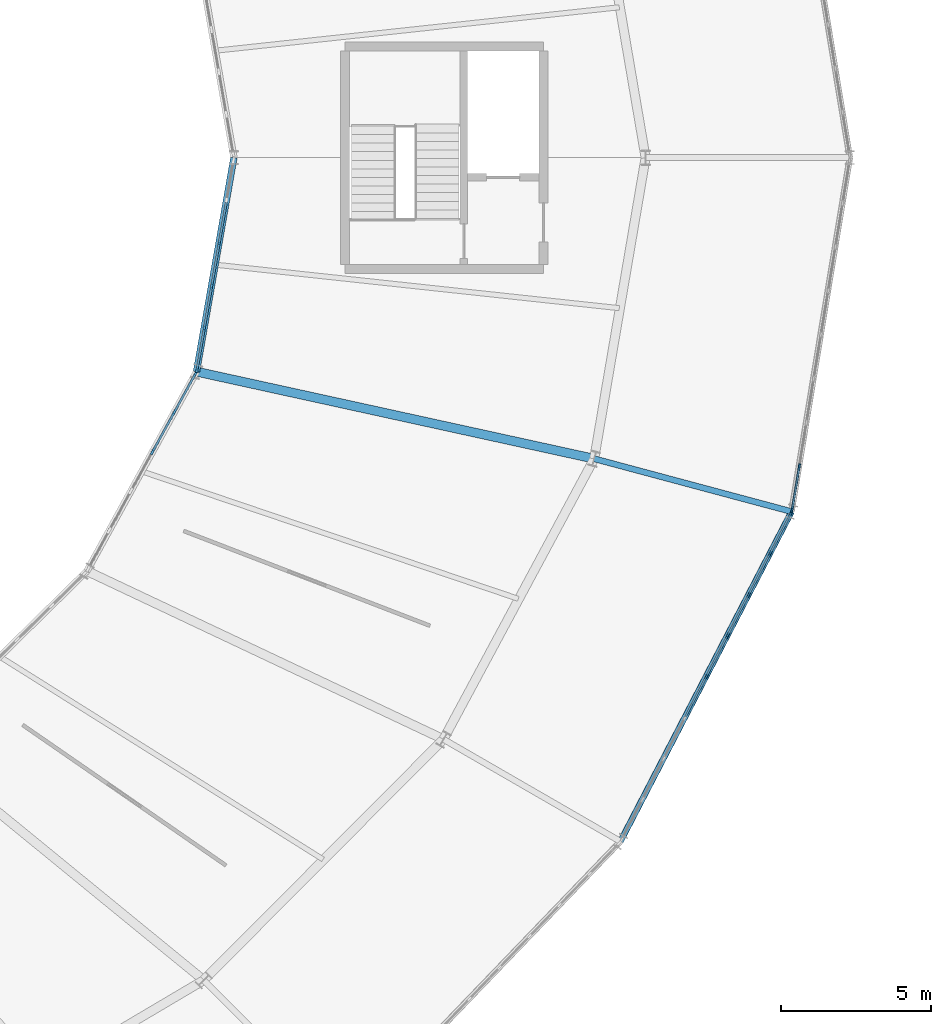
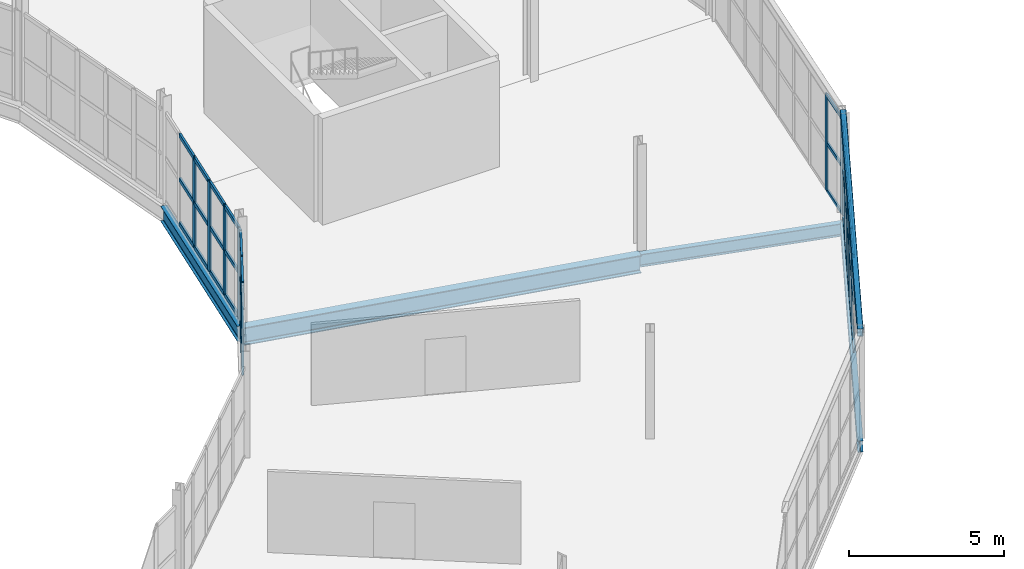
# One storey, part 79 of 161: 50 members, 5 beams, 4 elements without a shape of their own.
"""IFC4 building model written with IfcOpenShell, lengths in metres."""

from ifc_helpers import new_model, si_unit, direction, frame, origin, origin_2d, place, context, subcontext, project, spatial, rectangle, hollow_rectangle, i_section, extrude, material, material_profile, profile_set, type_object, element, aggregate, save


model = new_model("IFC4")

# Units and contexts
model_context = context("Model", 3, precision=1e-05, world=origin(), true_north=direction((0.0, 1.0)))
body_context = subcontext(model_context, "Body", "Model", "MODEL_VIEW")
ifc_project = project(units=[si_unit("LENGTHUNIT", "METRE"), si_unit("AREAUNIT", "SQUARE_METRE"), si_unit("VOLUMEUNIT", "CUBIC_METRE"), si_unit("PLANEANGLEUNIT", "RADIAN"), si_unit("MASSUNIT", "GRAM", prefix="KILO")], contexts=[model_context])

# Site, building, storey
site_placement = place(None, origin())
site = spatial("IfcSite", under=ifc_project, at=site_placement, CompositionType="ELEMENT")
building_placement = place(site_placement, origin())
building = spatial("IfcBuilding", under=site, at=building_placement, Name="Kildeholm Park Wholesale Market", CompositionType="ELEMENT")
storey_placement = place(building_placement, frame((0.0, 0.0, 5.39990234375)))
storey = spatial("IfcBuildingStorey", under=building, at=storey_placement, Name="L01", CompositionType="ELEMENT", Elevation=5.39990234375)

# Beams
ifc_material_1 = material(Name="Steel S355", Category="steel")
ifc_material_profile_1 = material_profile(ifc_material_1, i_section(OverallWidth=0.300048828125, OverallDepth=0.699951171875, WebThickness=0.01708984375, FlangeThickness=0.031982421875, FilletRadius=0.027099609375, at=origin_2d()), Name="HEB 700")
ifc_profile_set_1 = profile_set([ifc_material_profile_1], Name="Steel S355")
beam_type_1 = type_object("IfcBeamType", Name="Beam B-G01 HEB 700", PredefinedType="BEAM", material=ifc_profile_set_1)
beam_1_placement = place(storey_placement, frame((134.256103515625, 82.382080078125, -0.599853515625), z_axis=(0.976846137752, -0.213943037181, 0.0), x_axis=(0.213943037181, 0.976846137752, 0.0)))
element("IfcBeam", 1, at=beam_1_placement, inside=storey, type_object=beam_type_1, Name="Beam BM-V1-L01-R1-23 BM-0210", PredefinedType="BEAM", context=body_context, shape_type="SweptSolid", body=[
    extrude(i_section(OverallWidth=0.300048828125, OverallDepth=0.699951171875, WebThickness=0.01708984375, FlangeThickness=0.031982421875, FilletRadius=0.027099609375, at=origin_2d()), origin(), (0.0, 0.0, 1.0), 13.546630859375),
])
ifc_material_profile_2 = material_profile(ifc_material_1, i_section(OverallWidth=0.18994140625, OverallDepth=0.449951171875, WebThickness=0.009521484375, FlangeThickness=0.0146484375, FilletRadius=0.02099609375, at=origin_2d()), Name="IPE 450")
ifc_profile_set_2 = profile_set([ifc_material_profile_2], Name="Steel S355")
beam_type_2 = type_object("IfcBeamType", Name="Beam B-P02 IPE 450", PredefinedType="BEAM", material=ifc_profile_set_2)
beam_2_placement = place(storey_placement, frame((148.363037109375, 66.75, -0.474853515625), z_axis=(0.460622041592, 0.887596380569, 0.0), x_axis=(-0.887596380569, 0.460622041592, 0.0)))
element("IfcBeam", 2, at=beam_2_placement, inside=storey, type_object=beam_type_2, Name="Beam BM-V1-L01-CO-22 BM-0205", PredefinedType="BEAM", context=body_context, shape_type="SweptSolid", body=[
    extrude(i_section(OverallWidth=0.18994140625, OverallDepth=0.449951171875, WebThickness=0.009521484375, FlangeThickness=0.0146484375, FilletRadius=0.02099609375, at=origin_2d()), origin(), (0.0, 0.0, 1.0), 12.36376953125),
])
ifc_material_profile_3 = material_profile(ifc_material_1, i_section(OverallWidth=0.199951171875, OverallDepth=0.5, WebThickness=0.01025390625, FlangeThickness=0.01611328125, FilletRadius=0.02099609375, at=origin_2d()), Name="IPE 500")
ifc_profile_set_3 = profile_set([ifc_material_profile_3], Name="Steel S355")
beam_type_3 = type_object("IfcBeamType", Name="Beam B-P03 IPE 500", PredefinedType="BEAM", material=ifc_profile_set_3)
beam_3_placement = place(storey_placement, frame((147.489013671875, 79.48388671875, -0.5), z_axis=(0.965941161837, -0.258761805275, 0.0), x_axis=(0.258761805275, 0.965941161837, 0.0)))
element("IfcBeam", 3, at=beam_3_placement, inside=storey, type_object=beam_type_3, Name="Beam BM-V1-L01-R2-23 BM-0212", PredefinedType="BEAM", context=body_context, shape_type="SweptSolid", body=[
    extrude(i_section(OverallWidth=0.199951171875, OverallDepth=0.5, WebThickness=0.01025390625, FlangeThickness=0.01611328125, FilletRadius=0.02099609375, at=origin_2d()), origin(), (0.0, 0.0, 1.0), 6.80078125),
])
ifc_material_profile_4 = material_profile(ifc_material_1, i_section(OverallWidth=0.219970703125, OverallDepth=0.60009765625, WebThickness=0.011962890625, FlangeThickness=0.01904296875, FilletRadius=0.02392578125, at=origin_2d()), Name="IPE 600")
ifc_profile_set_4 = profile_set([ifc_material_profile_4], Name="Steel S355")
beam_type_4 = type_object("IfcBeamType", Name="Beam B-P04 IPE 600", PredefinedType="BEAM", material=ifc_profile_set_4)
beam_4_placement = place(storey_placement, frame((134.256103515625, 82.382080078125, -0.5498046875), z_axis=(0.172146745201, 0.985071316259, 0.0), x_axis=(-0.985071316259, 0.172146745201, 0.0)))
element("IfcBeam", 4, at=beam_4_placement, inside=storey, type_object=beam_type_4, Name="Beam BM-V1-L01-CI-23 BM-0213", PredefinedType="BEAM", context=body_context, shape_type="SweptSolid", body=[
    extrude(i_section(OverallWidth=0.219970703125, OverallDepth=0.60009765625, WebThickness=0.011962890625, FlangeThickness=0.01904296875, FilletRadius=0.02392578125, at=origin_2d()), origin(), (0.0, 0.0, 1.0), 7.225830078125),
])
ifc_material_profile_5 = material_profile(ifc_material_1, hollow_rectangle(XDim=0.199951171875, YDim=0.300048828125, WallThickness=0.012451171875, InnerFilletRadius=0.012451171875, OuterFilletRadius=0.02490234375, at=origin_2d()), Name="RHS 300x200x12.5")
ifc_profile_set_5 = profile_set([ifc_material_profile_5], Name="Steel S355")
beam_type_5 = type_object("IfcBeamType", Name="Beam SP-01 RHS 300x200x12.5", PredefinedType="SPANDREL", material=ifc_profile_set_5)
beam_5_placement = place(storey_placement, frame((148.363037109375, 66.75, 4.022705078125), z_axis=(0.460622041592, 0.887596380569, 0.0), x_axis=(-0.887596380569, 0.460622041592, 0.0)))
element("IfcBeam", 5, at=beam_5_placement, inside=storey, type_object=beam_type_5, Name="Beam SP-V1-EAV-22 BM-0352", PredefinedType="SPANDREL", context=body_context, shape_type="SweptSolid", body=[
    extrude(hollow_rectangle(XDim=0.199951171875, YDim=0.300048828125, WallThickness=0.012451171875, InnerFilletRadius=0.012451171875, OuterFilletRadius=0.02490234375, at=origin_2d()), origin(), (0.0, 0.0, 1.0), 12.36376953125),
])

# Curtain wall, members
ifc_material_2 = material(Name="Anodised aluminium and low-E double-glazed glass", Category="aluminium")
curtain_wall_type = type_object("IfcCurtainWallType", Name="Market hall glazed arcade stick curtain wall CW-01", PredefinedType="NOTDEFINED", material=ifc_material_2)
curtain_wall_1_placement = place(storey_placement, origin())
curtain_wall_1 = element("IfcCurtainWall", 6, at=curtain_wall_1_placement, inside=storey, type_object=curtain_wall_type, Name="Curtain wall CW-V1-OT-22-1 CW-0109", PredefinedType="NOTDEFINED")
ifc_material_3 = material(Name="Anodised aluminium", Category="aluminium")
ifc_material_profile_6 = material_profile(ifc_material_3, rectangle(XDim=0.06494140625, YDim=0.179931640625, at=origin_2d()), Name="CWM 65x180")
ifc_profile_set_6 = profile_set([ifc_material_profile_6], Name="Anodised aluminium")
member_type_1 = type_object("IfcMemberType", Name="Curtain-wall mullion CWM-1 CWM 65x180", PredefinedType="MULLION", material=ifc_profile_set_6)
member_1_placement = place(storey_placement, frame((151.216552734375, 72.235107421875, 0.0), z_axis=(0.0, 0.0, 1.0), x_axis=(-0.88765224586, 0.460514375909, 0.0)))
member_1 = element("IfcMember", 7, at=member_1_placement, type_object=member_type_1, Name="CW-01 mullion 5 MEM-3402", PredefinedType="MULLION", context=body_context, shape_type="SweptSolid", body=[
    extrude(rectangle(XDim=0.06494140625, YDim=0.179931640625, at=origin_2d()), origin(), (0.0, 0.0, 1.0), 3.800048828125),
])
member_2_placement = place(storey_placement, frame((151.923583984375, 73.597900390625, 0.0), z_axis=(0.0, 0.0, 1.0), x_axis=(-0.88765224586, 0.460514375909, 0.0)))
member_2 = element("IfcMember", 8, at=member_2_placement, type_object=member_type_1, Name="CW-01 mullion 6 MEM-3403", PredefinedType="MULLION", context=body_context, shape_type="SweptSolid", body=[
    extrude(rectangle(XDim=0.06494140625, YDim=0.179931640625, at=origin_2d()), origin(), (0.0, 0.0, 1.0), 3.800048828125),
])
member_3_placement = place(storey_placement, frame((152.630859375, 74.9609375, 0.0), z_axis=(0.0, 0.0, 1.0), x_axis=(-0.88765224586, 0.460514375909, 0.0)))
member_3 = element("IfcMember", 9, at=member_3_placement, type_object=member_type_1, Name="CW-01 mullion 7 MEM-3404", PredefinedType="MULLION", context=body_context, shape_type="SweptSolid", body=[
    extrude(rectangle(XDim=0.06494140625, YDim=0.179931640625, at=origin_2d()), origin(), (0.0, 0.0, 1.0), 3.800048828125),
])
member_4_placement = place(storey_placement, frame((153.337890625, 76.323974609375, 0.0), z_axis=(0.0, 0.0, 1.0), x_axis=(-0.88765224586, 0.460514375909, 0.0)))
member_4 = element("IfcMember", 10, at=member_4_placement, type_object=member_type_1, Name="CW-01 mullion 8 MEM-3405", PredefinedType="MULLION", context=body_context, shape_type="SweptSolid", body=[
    extrude(rectangle(XDim=0.06494140625, YDim=0.179931640625, at=origin_2d()), origin(), (0.0, 0.0, 1.0), 3.800048828125),
])
member_5_placement = place(storey_placement, frame((154.030029296875, 77.658203125, 0.0), z_axis=(0.0, 0.0, 1.0), x_axis=(-0.88765224586, 0.460514375909, 0.0)))
member_5 = element("IfcMember", 11, at=member_5_placement, type_object=member_type_1, Name="CW-01 mullion 9 MEM-3406", PredefinedType="MULLION", context=body_context, shape_type="SweptSolid", body=[
    extrude(rectangle(XDim=0.06494140625, YDim=0.179931640625, at=origin_2d()), origin(), (0.0, 0.0, 1.0), 3.800048828125),
])

curtain_wall_2_placement = place(storey_placement, origin())
curtain_wall_2 = element("IfcCurtainWall", 12, at=curtain_wall_2_placement, inside=storey, type_object=curtain_wall_type, Name="Curtain wall CW-V1-OT-23-1 CW-0114", PredefinedType="NOTDEFINED")
member_6_placement = place(storey_placement, frame((154.076171875, 77.7939453125, 0.0), z_axis=(0.0, 0.0, 1.0), x_axis=(-0.98667513756, 0.162702713317, 0.0)))
member_6 = element("IfcMember", 13, at=member_6_placement, type_object=member_type_1, Name="CW-01 mullion 1 MEM-3523", PredefinedType="MULLION", context=body_context, shape_type="SweptSolid", body=[
    extrude(rectangle(XDim=0.06494140625, YDim=0.179931640625, at=origin_2d()), origin(), (0.0, 0.0, 1.0), 3.800048828125),
])
member_7_placement = place(storey_placement, frame((154.31201171875, 79.224365234375, 0.0), z_axis=(0.0, 0.0, 1.0), x_axis=(-0.98667513756, 0.162702713317, 0.0)))
member_7 = element("IfcMember", 14, at=member_7_placement, type_object=member_type_1, Name="CW-01 mullion 2 MEM-3524", PredefinedType="MULLION", context=body_context, shape_type="SweptSolid", body=[
    extrude(rectangle(XDim=0.06494140625, YDim=0.179931640625, at=origin_2d()), origin(), (0.0, 0.0, 1.0), 3.800048828125),
])

curtain_wall_3_placement = place(storey_placement, origin())
curtain_wall_3 = element("IfcCurtainWall", 15, at=curtain_wall_3_placement, inside=storey, type_object=curtain_wall_type, Name="Curtain wall CW-V1-IN1-22 CW-0112", PredefinedType="NOTDEFINED")
ifc_material_profile_7 = material_profile(ifc_material_3, rectangle(XDim=0.074951171875, YDim=0.219970703125, at=origin_2d()), Name="CWM 75x220")
ifc_profile_set_7 = profile_set([ifc_material_profile_7], Name="Anodised aluminium")
member_type_2 = type_object("IfcMemberType", Name="Curtain-wall mullion CWM-2 CWM 75x220", PredefinedType="MULLION", material=ifc_profile_set_7)
member_8_placement = place(storey_placement, frame((132.7998046875, 79.720703125, 0.0), z_axis=(0.0, 0.0, 1.0), x_axis=(-0.876308922506, 0.481749595055, 0.0)))
member_8 = element("IfcMember", 16, at=member_8_placement, type_object=member_type_2, Name="CW-01 mullion 4 MEM-3484", PredefinedType="MULLION", context=body_context, shape_type="SweptSolid", body=[
    extrude(rectangle(XDim=0.074951171875, YDim=0.219970703125, at=origin_2d()), origin(), (0.0, 0.0, 1.0), 3.550048828125),
])
member_9_placement = place(storey_placement, frame((133.521484375, 81.033447265625, 0.0), z_axis=(0.0, 0.0, 1.0), x_axis=(-0.876308922506, 0.481749595055, 0.0)))
member_9 = element("IfcMember", 17, at=member_9_placement, type_object=member_type_2, Name="CW-01 mullion 5 MEM-3485", PredefinedType="MULLION", context=body_context, shape_type="SweptSolid", body=[
    extrude(rectangle(XDim=0.074951171875, YDim=0.219970703125, at=origin_2d()), origin(), (0.0, 0.0, 1.0), 3.550048828125),
])
member_10_placement = place(storey_placement, frame((134.224853515625, 82.313232421875, 0.0), z_axis=(0.0, 0.0, 1.0), x_axis=(-0.876308922506, 0.481749595055, 0.0)))
member_10 = element("IfcMember", 18, at=member_10_placement, type_object=member_type_2, Name="CW-01 mullion 6 MEM-3486", PredefinedType="MULLION", context=body_context, shape_type="SweptSolid", body=[
    extrude(rectangle(XDim=0.074951171875, YDim=0.219970703125, at=origin_2d()), origin(), (0.0, 0.0, 1.0), 3.550048828125),
])

curtain_wall_4_placement = place(storey_placement, origin())
curtain_wall_4 = element("IfcCurtainWall", 19, at=curtain_wall_4_placement, inside=storey, type_object=curtain_wall_type, Name="Curtain wall CW-V1-IN1-23 CW-0117", PredefinedType="NOTDEFINED")
member_11_placement = place(storey_placement, frame((134.2763671875, 82.4580078125, 0.0), z_axis=(0.0, 0.0, 1.0), x_axis=(-0.985073802851, 0.172132515628, 0.0)))
member_11 = element("IfcMember", 20, at=member_11_placement, type_object=member_type_2, Name="CW-01 mullion 1 MEM-3606", PredefinedType="MULLION", context=body_context, shape_type="SweptSolid", body=[
    extrude(rectangle(XDim=0.074951171875, YDim=0.219970703125, at=origin_2d()), origin(), (0.0, 0.0, 1.0), 3.550048828125),
])
member_12_placement = place(storey_placement, frame((134.51611328125, 83.828857421875, 0.0), z_axis=(0.0, 0.0, 1.0), x_axis=(-0.985073802851, 0.172132515628, 0.0)))
member_12 = element("IfcMember", 21, at=member_12_placement, type_object=member_type_2, Name="CW-01 mullion 2 MEM-3607", PredefinedType="MULLION", context=body_context, shape_type="SweptSolid", body=[
    extrude(rectangle(XDim=0.074951171875, YDim=0.219970703125, at=origin_2d()), origin(), (0.0, 0.0, 1.0), 3.550048828125),
])
member_13_placement = place(storey_placement, frame((134.761962890625, 85.236572265625, 0.0), z_axis=(0.0, 0.0, 1.0), x_axis=(-0.985073802851, 0.172132515628, 0.0)))
member_13 = element("IfcMember", 22, at=member_13_placement, type_object=member_type_2, Name="CW-01 mullion 3 MEM-3608", PredefinedType="MULLION", context=body_context, shape_type="SweptSolid", body=[
    extrude(rectangle(XDim=0.074951171875, YDim=0.219970703125, at=origin_2d()), origin(), (0.0, 0.0, 1.0), 3.550048828125),
])
member_14_placement = place(storey_placement, frame((135.008056640625, 86.644287109375, 0.0), z_axis=(0.0, 0.0, 1.0), x_axis=(-0.985073802851, 0.172132515628, 0.0)))
member_14 = element("IfcMember", 23, at=member_14_placement, type_object=member_type_2, Name="CW-01 mullion 4 MEM-3609", PredefinedType="MULLION", context=body_context, shape_type="SweptSolid", body=[
    extrude(rectangle(XDim=0.074951171875, YDim=0.219970703125, at=origin_2d()), origin(), (0.0, 0.0, 1.0), 3.550048828125),
])

# Member
ifc_material_profile_8 = material_profile(ifc_material_3, rectangle(XDim=0.06494140625, YDim=0.139892578125, at=origin_2d()), Name="CWT 65x140")
ifc_profile_set_8 = profile_set([ifc_material_profile_8], Name="Anodised aluminium")
member_type_3 = type_object("IfcMemberType", Name="Curtain-wall transom CWT-1 CWT 65x140", PredefinedType="USERDEFINED", material=ifc_profile_set_8)
member_15_placement = place(storey_placement, frame((150.5244140625, 70.90087890625, 0.03271484375), z_axis=(0.460448022353, 0.887686666967, 0.0), x_axis=(-0.887686666967, 0.460448022353, 0.0)))
member_15 = element("IfcMember", 24, at=member_15_placement, type_object=member_type_3, Name="CW-01 transom 4.1 MEM-3416", ObjectType="TRANSOM", PredefinedType="USERDEFINED", context=body_context, shape_type="SweptSolid", body=[
    extrude(rectangle(XDim=0.06494140625, YDim=0.139892578125, at=origin_2d()), origin(), (0.0, 0.0, 1.0), 1.47021484375),
])

member_16_placement = place(storey_placement, frame((150.5244140625, 70.90087890625, 1.900146484375), z_axis=(0.460448022353, 0.887686666967, 0.0), x_axis=(-0.887686666967, 0.460448022353, 0.0)))
member_16 = element("IfcMember", 25, at=member_16_placement, type_object=member_type_3, Name="CW-01 transom 4.2 MEM-3417", ObjectType="TRANSOM", PredefinedType="USERDEFINED", context=body_context, shape_type="SweptSolid", body=[
    extrude(rectangle(XDim=0.06494140625, YDim=0.139892578125, at=origin_2d()), origin(), (0.0, 0.0, 1.0), 1.47021484375),
])

member_17_placement = place(storey_placement, frame((150.5244140625, 70.90087890625, 3.767578125), z_axis=(0.460448022353, 0.887686666967, 0.0), x_axis=(-0.887686666967, 0.460448022353, 0.0)))
member_17 = element("IfcMember", 26, at=member_17_placement, type_object=member_type_3, Name="CW-01 transom 4.3 MEM-3418", ObjectType="TRANSOM", PredefinedType="USERDEFINED", context=body_context, shape_type="SweptSolid", body=[
    extrude(rectangle(XDim=0.06494140625, YDim=0.139892578125, at=origin_2d()), origin(), (0.0, 0.0, 1.0), 1.47021484375),
])

member_18_placement = place(storey_placement, frame((151.2314453125, 72.263916015625, 0.03271484375), z_axis=(0.46057885024, 0.887618793577, 0.0), x_axis=(-0.887618793577, 0.46057885024, 0.0)))
member_18 = element("IfcMember", 27, at=member_18_placement, type_object=member_type_3, Name="CW-01 transom 5.1 MEM-3419", ObjectType="TRANSOM", PredefinedType="USERDEFINED", context=body_context, shape_type="SweptSolid", body=[
    extrude(rectangle(XDim=0.06494140625, YDim=0.139892578125, at=origin_2d()), origin(), (0.0, 0.0, 1.0), 1.470458984375),
])

member_19_placement = place(storey_placement, frame((151.2314453125, 72.263916015625, 1.900146484375), z_axis=(0.46057885024, 0.887618793577, 0.0), x_axis=(-0.887618793577, 0.46057885024, 0.0)))
member_19 = element("IfcMember", 28, at=member_19_placement, type_object=member_type_3, Name="CW-01 transom 5.2 MEM-3420", ObjectType="TRANSOM", PredefinedType="USERDEFINED", context=body_context, shape_type="SweptSolid", body=[
    extrude(rectangle(XDim=0.06494140625, YDim=0.139892578125, at=origin_2d()), origin(), (0.0, 0.0, 1.0), 1.470458984375),
])

member_20_placement = place(storey_placement, frame((151.2314453125, 72.263916015625, 3.767578125), z_axis=(0.46057885024, 0.887618793577, 0.0), x_axis=(-0.887618793577, 0.46057885024, 0.0)))
member_20 = element("IfcMember", 29, at=member_20_placement, type_object=member_type_3, Name="CW-01 transom 5.3 MEM-3421", ObjectType="TRANSOM", PredefinedType="USERDEFINED", context=body_context, shape_type="SweptSolid", body=[
    extrude(rectangle(XDim=0.06494140625, YDim=0.139892578125, at=origin_2d()), origin(), (0.0, 0.0, 1.0), 1.470458984375),
])

member_21_placement = place(storey_placement, frame((151.9384765625, 73.626953125, 0.03271484375), z_axis=(0.46057885024, 0.887618793577, 0.0), x_axis=(-0.887618793577, 0.46057885024, 0.0)))
member_21 = element("IfcMember", 30, at=member_21_placement, type_object=member_type_3, Name="CW-01 transom 6.1 MEM-3422", ObjectType="TRANSOM", PredefinedType="USERDEFINED", context=body_context, shape_type="SweptSolid", body=[
    extrude(rectangle(XDim=0.06494140625, YDim=0.139892578125, at=origin_2d()), origin(), (0.0, 0.0, 1.0), 1.470458984375),
])

member_22_placement = place(storey_placement, frame((151.9384765625, 73.626953125, 1.900146484375), z_axis=(0.46057885024, 0.887618793577, 0.0), x_axis=(-0.887618793577, 0.46057885024, 0.0)))
member_22 = element("IfcMember", 31, at=member_22_placement, type_object=member_type_3, Name="CW-01 transom 6.2 MEM-3423", ObjectType="TRANSOM", PredefinedType="USERDEFINED", context=body_context, shape_type="SweptSolid", body=[
    extrude(rectangle(XDim=0.06494140625, YDim=0.139892578125, at=origin_2d()), origin(), (0.0, 0.0, 1.0), 1.470458984375),
])

member_23_placement = place(storey_placement, frame((151.9384765625, 73.626953125, 3.767578125), z_axis=(0.46057885024, 0.887618793577, 0.0), x_axis=(-0.887618793577, 0.46057885024, 0.0)))
member_23 = element("IfcMember", 32, at=member_23_placement, type_object=member_type_3, Name="CW-01 transom 6.3 MEM-3424", ObjectType="TRANSOM", PredefinedType="USERDEFINED", context=body_context, shape_type="SweptSolid", body=[
    extrude(rectangle(XDim=0.06494140625, YDim=0.139892578125, at=origin_2d()), origin(), (0.0, 0.0, 1.0), 1.470458984375),
])

member_24_placement = place(storey_placement, frame((152.645751953125, 74.98974609375, 0.03271484375), z_axis=(0.460510981056, 0.887654007104, 0.0), x_axis=(-0.887654007104, 0.460510981056, 0.0)))
member_24 = element("IfcMember", 33, at=member_24_placement, type_object=member_type_3, Name="CW-01 transom 7.1 MEM-3425", ObjectType="TRANSOM", PredefinedType="USERDEFINED", context=body_context, shape_type="SweptSolid", body=[
    extrude(rectangle(XDim=0.06494140625, YDim=0.139892578125, at=origin_2d()), origin(), (0.0, 0.0, 1.0), 1.470703125),
])

member_25_placement = place(storey_placement, frame((152.645751953125, 74.98974609375, 1.900146484375), z_axis=(0.460510981056, 0.887654007104, 0.0), x_axis=(-0.887654007104, 0.460510981056, 0.0)))
member_25 = element("IfcMember", 34, at=member_25_placement, type_object=member_type_3, Name="CW-01 transom 7.2 MEM-3426", ObjectType="TRANSOM", PredefinedType="USERDEFINED", context=body_context, shape_type="SweptSolid", body=[
    extrude(rectangle(XDim=0.06494140625, YDim=0.139892578125, at=origin_2d()), origin(), (0.0, 0.0, 1.0), 1.470703125),
])

member_26_placement = place(storey_placement, frame((152.645751953125, 74.98974609375, 3.767578125), z_axis=(0.460510981056, 0.887654007104, 0.0), x_axis=(-0.887654007104, 0.460510981056, 0.0)))
member_26 = element("IfcMember", 35, at=member_26_placement, type_object=member_type_3, Name="CW-01 transom 7.3 MEM-3427", ObjectType="TRANSOM", PredefinedType="USERDEFINED", context=body_context, shape_type="SweptSolid", body=[
    extrude(rectangle(XDim=0.06494140625, YDim=0.139892578125, at=origin_2d()), origin(), (0.0, 0.0, 1.0), 1.470703125),
])

member_27_placement = place(storey_placement, frame((153.352783203125, 76.352783203125, 0.03271484375), z_axis=(0.460540122908, 0.887638887832, 0.0), x_axis=(-0.887638887832, 0.460540122908, 0.0)))
member_27 = element("IfcMember", 36, at=member_27_placement, type_object=member_type_3, Name="CW-01 transom 8.1 MEM-3428", ObjectType="TRANSOM", PredefinedType="USERDEFINED", context=body_context, shape_type="SweptSolid", body=[
    extrude(rectangle(XDim=0.06494140625, YDim=0.139892578125, at=origin_2d()), origin(), (0.0, 0.0, 1.0), 1.438232421875),
])

member_28_placement = place(storey_placement, frame((153.352783203125, 76.352783203125, 1.900146484375), z_axis=(0.460540122908, 0.887638887832, 0.0), x_axis=(-0.887638887832, 0.460540122908, 0.0)))
member_28 = element("IfcMember", 37, at=member_28_placement, type_object=member_type_3, Name="CW-01 transom 8.2 MEM-3429", ObjectType="TRANSOM", PredefinedType="USERDEFINED", context=body_context, shape_type="SweptSolid", body=[
    extrude(rectangle(XDim=0.06494140625, YDim=0.139892578125, at=origin_2d()), origin(), (0.0, 0.0, 1.0), 1.438232421875),
])

member_29_placement = place(storey_placement, frame((153.352783203125, 76.352783203125, 3.767578125), z_axis=(0.460540122908, 0.887638887832, 0.0), x_axis=(-0.887638887832, 0.460540122908, 0.0)))
member_29 = element("IfcMember", 38, at=member_29_placement, type_object=member_type_3, Name="CW-01 transom 8.3 MEM-3430", ObjectType="TRANSOM", PredefinedType="USERDEFINED", context=body_context, shape_type="SweptSolid", body=[
    extrude(rectangle(XDim=0.06494140625, YDim=0.139892578125, at=origin_2d()), origin(), (0.0, 0.0, 1.0), 1.438232421875),
])

aggregate(curtain_wall_1, [member_1, member_2, member_3, member_4, member_5, member_15, member_16, member_17, member_18, member_19, member_20, member_21, member_22, member_23, member_24, member_25, member_26, member_27, member_28, member_29])

member_30_placement = place(storey_placement, frame((154.08154296875, 77.826171875, 0.03271484375), z_axis=(0.162768740023, 0.986664247488, 0.0), x_axis=(-0.986664247488, 0.162768740023, 0.0)))
member_30 = element("IfcMember", 39, at=member_30_placement, type_object=member_type_3, Name="CW-01 transom 1.1 MEM-3532", ObjectType="TRANSOM", PredefinedType="USERDEFINED", context=body_context, shape_type="SweptSolid", body=[
    extrude(rectangle(XDim=0.06494140625, YDim=0.139892578125, at=origin_2d()), origin(), (0.0, 0.0, 1.0), 1.384521484375),
])

member_31_placement = place(storey_placement, frame((154.08154296875, 77.826171875, 1.900146484375), z_axis=(0.162768740023, 0.986664247488, 0.0), x_axis=(-0.986664247488, 0.162768740023, 0.0)))
member_31 = element("IfcMember", 40, at=member_31_placement, type_object=member_type_3, Name="CW-01 transom 1.2 MEM-3533", ObjectType="TRANSOM", PredefinedType="USERDEFINED", context=body_context, shape_type="SweptSolid", body=[
    extrude(rectangle(XDim=0.06494140625, YDim=0.139892578125, at=origin_2d()), origin(), (0.0, 0.0, 1.0), 1.384521484375),
])

member_32_placement = place(storey_placement, frame((154.08154296875, 77.826171875, 3.767578125), z_axis=(0.162768740023, 0.986664247488, 0.0), x_axis=(-0.986664247488, 0.162768740023, 0.0)))
member_32 = element("IfcMember", 41, at=member_32_placement, type_object=member_type_3, Name="CW-01 transom 1.3 MEM-3534", ObjectType="TRANSOM", PredefinedType="USERDEFINED", context=body_context, shape_type="SweptSolid", body=[
    extrude(rectangle(XDim=0.06494140625, YDim=0.139892578125, at=origin_2d()), origin(), (0.0, 0.0, 1.0), 1.384521484375),
])

aggregate(curtain_wall_2, [member_6, member_7, member_30, member_31, member_32])

ifc_material_profile_9 = material_profile(ifc_material_3, rectangle(XDim=0.074951171875, YDim=0.159912109375, at=origin_2d()), Name="CWT 75x160")
ifc_profile_set_9 = profile_set([ifc_material_profile_9], Name="Anodised aluminium")
member_type_4 = type_object("IfcMemberType", Name="Curtain-wall transom CWT-2 CWT 75x160", PredefinedType="USERDEFINED", material=ifc_profile_set_9)
member_33_placement = place(storey_placement, frame((132.81787109375, 79.753662109375, 0.03759765625), z_axis=(0.481806771889, 0.876277487193, 0.0), x_axis=(-0.876277487193, 0.481806771889, 0.0)))
member_33 = element("IfcMember", 42, at=member_33_placement, type_object=member_type_4, Name="CW-01 transom 4.1 MEM-3496", ObjectType="TRANSOM", PredefinedType="USERDEFINED", context=body_context, shape_type="SweptSolid", body=[
    extrude(rectangle(XDim=0.074951171875, YDim=0.159912109375, at=origin_2d()), origin(), (0.0, 0.0, 1.0), 1.4228515625),
])

member_34_placement = place(storey_placement, frame((132.81787109375, 79.753662109375, 1.775146484375), z_axis=(0.481806771889, 0.876277487193, 0.0), x_axis=(-0.876277487193, 0.481806771889, 0.0)))
member_34 = element("IfcMember", 43, at=member_34_placement, type_object=member_type_4, Name="CW-01 transom 4.2 MEM-3497", ObjectType="TRANSOM", PredefinedType="USERDEFINED", context=body_context, shape_type="SweptSolid", body=[
    extrude(rectangle(XDim=0.074951171875, YDim=0.159912109375, at=origin_2d()), origin(), (0.0, 0.0, 1.0), 1.4228515625),
])

member_35_placement = place(storey_placement, frame((132.81787109375, 79.753662109375, 3.5126953125), z_axis=(0.481806771889, 0.876277487193, 0.0), x_axis=(-0.876277487193, 0.481806771889, 0.0)))
member_35 = element("IfcMember", 44, at=member_35_placement, type_object=member_type_4, Name="CW-01 transom 4.3 MEM-3498", ObjectType="TRANSOM", PredefinedType="USERDEFINED", context=body_context, shape_type="SweptSolid", body=[
    extrude(rectangle(XDim=0.074951171875, YDim=0.159912109375, at=origin_2d()), origin(), (0.0, 0.0, 1.0), 1.4228515625),
])

member_36_placement = place(storey_placement, frame((133.53955078125, 81.066162109375, 0.03759765625), z_axis=(0.481627830616, 0.876375851319, 0.0), x_axis=(-0.876375851319, 0.481627830616, 0.0)))
member_36 = element("IfcMember", 45, at=member_36_placement, type_object=member_type_4, Name="CW-01 transom 5.1 MEM-3499", ObjectType="TRANSOM", PredefinedType="USERDEFINED", context=body_context, shape_type="SweptSolid", body=[
    extrude(rectangle(XDim=0.074951171875, YDim=0.159912109375, at=origin_2d()), origin(), (0.0, 0.0, 1.0), 1.385498046875),
])

member_37_placement = place(storey_placement, frame((133.53955078125, 81.066162109375, 1.775146484375), z_axis=(0.481627830616, 0.876375851319, 0.0), x_axis=(-0.876375851319, 0.481627830616, 0.0)))
member_37 = element("IfcMember", 46, at=member_37_placement, type_object=member_type_4, Name="CW-01 transom 5.2 MEM-3500", ObjectType="TRANSOM", PredefinedType="USERDEFINED", context=body_context, shape_type="SweptSolid", body=[
    extrude(rectangle(XDim=0.074951171875, YDim=0.159912109375, at=origin_2d()), origin(), (0.0, 0.0, 1.0), 1.385498046875),
])

member_38_placement = place(storey_placement, frame((133.53955078125, 81.066162109375, 3.5126953125), z_axis=(0.481627830616, 0.876375851319, 0.0), x_axis=(-0.876375851319, 0.481627830616, 0.0)))
member_38 = element("IfcMember", 47, at=member_38_placement, type_object=member_type_4, Name="CW-01 transom 5.3 MEM-3501", ObjectType="TRANSOM", PredefinedType="USERDEFINED", context=body_context, shape_type="SweptSolid", body=[
    extrude(rectangle(XDim=0.074951171875, YDim=0.159912109375, at=origin_2d()), origin(), (0.0, 0.0, 1.0), 1.385498046875),
])

aggregate(curtain_wall_3, [member_8, member_9, member_10, member_33, member_34, member_35, member_36, member_37, member_38])

member_39_placement = place(storey_placement, frame((134.282958984375, 82.494873046875, 0.03759765625), z_axis=(0.172092430067, 0.985080806591, 0.0), x_axis=(-0.985080806591, 0.172092430067, 0.0)))
member_39 = element("IfcMember", 48, at=member_39_placement, type_object=member_type_4, Name="CW-01 transom 1.1 MEM-3612", ObjectType="TRANSOM", PredefinedType="USERDEFINED", context=body_context, shape_type="SweptSolid", body=[
    extrude(rectangle(XDim=0.074951171875, YDim=0.159912109375, at=origin_2d()), origin(), (0.0, 0.0, 1.0), 1.31640625),
])

member_40_placement = place(storey_placement, frame((134.282958984375, 82.494873046875, 1.775146484375), z_axis=(0.172092430067, 0.985080806591, 0.0), x_axis=(-0.985080806591, 0.172092430067, 0.0)))
member_40 = element("IfcMember", 49, at=member_40_placement, type_object=member_type_4, Name="CW-01 transom 1.2 MEM-3613", ObjectType="TRANSOM", PredefinedType="USERDEFINED", context=body_context, shape_type="SweptSolid", body=[
    extrude(rectangle(XDim=0.074951171875, YDim=0.159912109375, at=origin_2d()), origin(), (0.0, 0.0, 1.0), 1.31640625),
])

member_41_placement = place(storey_placement, frame((134.282958984375, 82.494873046875, 3.5126953125), z_axis=(0.172092430067, 0.985080806591, 0.0), x_axis=(-0.985080806591, 0.172092430067, 0.0)))
member_41 = element("IfcMember", 50, at=member_41_placement, type_object=member_type_4, Name="CW-01 transom 1.3 MEM-3614", ObjectType="TRANSOM", PredefinedType="USERDEFINED", context=body_context, shape_type="SweptSolid", body=[
    extrude(rectangle(XDim=0.074951171875, YDim=0.159912109375, at=origin_2d()), origin(), (0.0, 0.0, 1.0), 1.31640625),
])

member_42_placement = place(storey_placement, frame((134.5224609375, 83.86572265625, 0.03759765625), z_axis=(0.17217041658, 0.98506717926, 0.0), x_axis=(-0.98506717926, 0.17217041658, 0.0)))
member_42 = element("IfcMember", 51, at=member_42_placement, type_object=member_type_4, Name="CW-01 transom 2.1 MEM-3615", ObjectType="TRANSOM", PredefinedType="USERDEFINED", context=body_context, shape_type="SweptSolid", body=[
    extrude(rectangle(XDim=0.074951171875, YDim=0.159912109375, at=origin_2d()), origin(), (0.0, 0.0, 1.0), 1.354248046875),
])

member_43_placement = place(storey_placement, frame((134.5224609375, 83.86572265625, 1.775146484375), z_axis=(0.17217041658, 0.98506717926, 0.0), x_axis=(-0.98506717926, 0.17217041658, 0.0)))
member_43 = element("IfcMember", 52, at=member_43_placement, type_object=member_type_4, Name="CW-01 transom 2.2 MEM-3616", ObjectType="TRANSOM", PredefinedType="USERDEFINED", context=body_context, shape_type="SweptSolid", body=[
    extrude(rectangle(XDim=0.074951171875, YDim=0.159912109375, at=origin_2d()), origin(), (0.0, 0.0, 1.0), 1.354248046875),
])

member_44_placement = place(storey_placement, frame((134.5224609375, 83.86572265625, 3.5126953125), z_axis=(0.17217041658, 0.98506717926, 0.0), x_axis=(-0.98506717926, 0.17217041658, 0.0)))
member_44 = element("IfcMember", 53, at=member_44_placement, type_object=member_type_4, Name="CW-01 transom 2.3 MEM-3617", ObjectType="TRANSOM", PredefinedType="USERDEFINED", context=body_context, shape_type="SweptSolid", body=[
    extrude(rectangle(XDim=0.074951171875, YDim=0.159912109375, at=origin_2d()), origin(), (0.0, 0.0, 1.0), 1.354248046875),
])

member_45_placement = place(storey_placement, frame((134.7685546875, 85.2734375, 0.03759765625), z_axis=(0.17199546935, 0.985097740594, 0.0), x_axis=(-0.985097740594, 0.17199546935, 0.0)))
member_45 = element("IfcMember", 54, at=member_45_placement, type_object=member_type_4, Name="CW-01 transom 3.1 MEM-3618", ObjectType="TRANSOM", PredefinedType="USERDEFINED", context=body_context, shape_type="SweptSolid", body=[
    extrude(rectangle(XDim=0.074951171875, YDim=0.159912109375, at=origin_2d()), origin(), (0.0, 0.0, 1.0), 1.354248046875),
])

member_46_placement = place(storey_placement, frame((134.7685546875, 85.2734375, 1.775146484375), z_axis=(0.17199546935, 0.985097740594, 0.0), x_axis=(-0.985097740594, 0.17199546935, 0.0)))
member_46 = element("IfcMember", 55, at=member_46_placement, type_object=member_type_4, Name="CW-01 transom 3.2 MEM-3619", ObjectType="TRANSOM", PredefinedType="USERDEFINED", context=body_context, shape_type="SweptSolid", body=[
    extrude(rectangle(XDim=0.074951171875, YDim=0.159912109375, at=origin_2d()), origin(), (0.0, 0.0, 1.0), 1.354248046875),
])

member_47_placement = place(storey_placement, frame((134.7685546875, 85.2734375, 3.5126953125), z_axis=(0.17199546935, 0.985097740594, 0.0), x_axis=(-0.985097740594, 0.17199546935, 0.0)))
member_47 = element("IfcMember", 56, at=member_47_placement, type_object=member_type_4, Name="CW-01 transom 3.3 MEM-3620", ObjectType="TRANSOM", PredefinedType="USERDEFINED", context=body_context, shape_type="SweptSolid", body=[
    extrude(rectangle(XDim=0.074951171875, YDim=0.159912109375, at=origin_2d()), origin(), (0.0, 0.0, 1.0), 1.354248046875),
])

member_48_placement = place(storey_placement, frame((135.014404296875, 86.681396484375, 0.03759765625), z_axis=(0.17217041658, 0.98506717926, 0.0), x_axis=(-0.98506717926, 0.17217041658, 0.0)))
member_48 = element("IfcMember", 57, at=member_48_placement, type_object=member_type_4, Name="CW-01 transom 4.1 MEM-3621", ObjectType="TRANSOM", PredefinedType="USERDEFINED", context=body_context, shape_type="SweptSolid", body=[
    extrude(rectangle(XDim=0.074951171875, YDim=0.159912109375, at=origin_2d()), origin(), (0.0, 0.0, 1.0), 1.354248046875),
])

member_49_placement = place(storey_placement, frame((135.014404296875, 86.681396484375, 1.775146484375), z_axis=(0.17217041658, 0.98506717926, 0.0), x_axis=(-0.98506717926, 0.17217041658, 0.0)))
member_49 = element("IfcMember", 58, at=member_49_placement, type_object=member_type_4, Name="CW-01 transom 4.2 MEM-3622", ObjectType="TRANSOM", PredefinedType="USERDEFINED", context=body_context, shape_type="SweptSolid", body=[
    extrude(rectangle(XDim=0.074951171875, YDim=0.159912109375, at=origin_2d()), origin(), (0.0, 0.0, 1.0), 1.354248046875),
])

member_50_placement = place(storey_placement, frame((135.014404296875, 86.681396484375, 3.5126953125), z_axis=(0.17217041658, 0.98506717926, 0.0), x_axis=(-0.98506717926, 0.17217041658, 0.0)))
member_50 = element("IfcMember", 59, at=member_50_placement, type_object=member_type_4, Name="CW-01 transom 4.3 MEM-3623", ObjectType="TRANSOM", PredefinedType="USERDEFINED", context=body_context, shape_type="SweptSolid", body=[
    extrude(rectangle(XDim=0.074951171875, YDim=0.159912109375, at=origin_2d()), origin(), (0.0, 0.0, 1.0), 1.354248046875),
])

aggregate(curtain_wall_4, [member_11, member_12, member_13, member_14, member_39, member_40, member_41, member_42, member_43, member_44, member_45, member_46, member_47, member_48, member_49, member_50])

save(model, "model.ifc")
